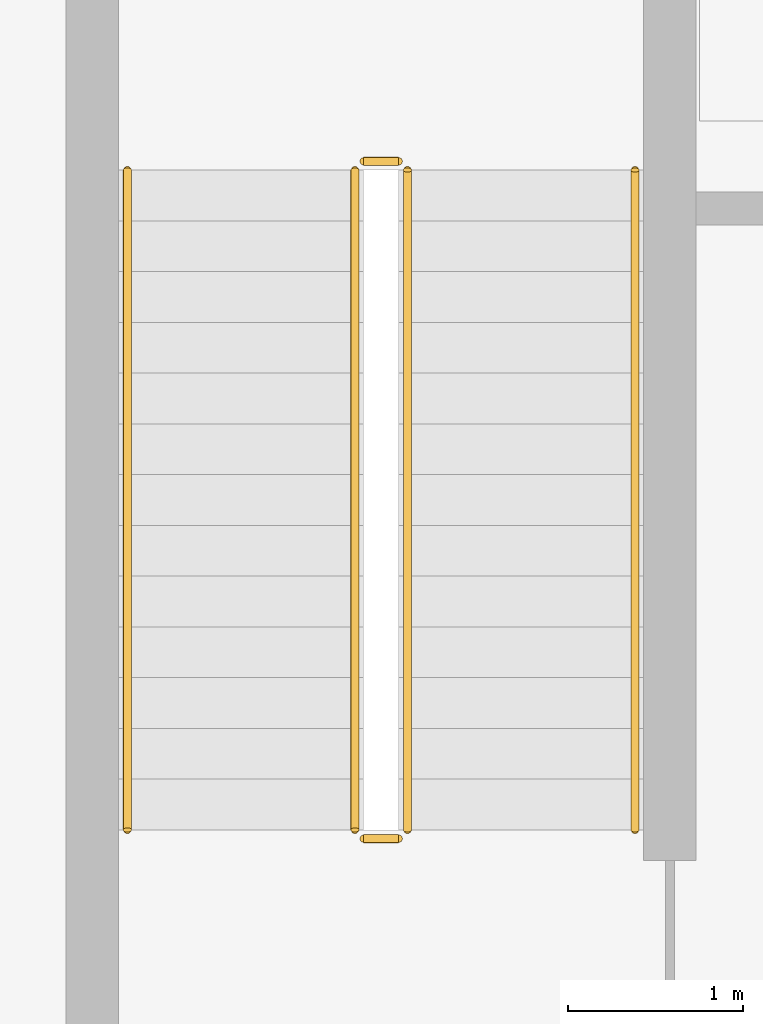
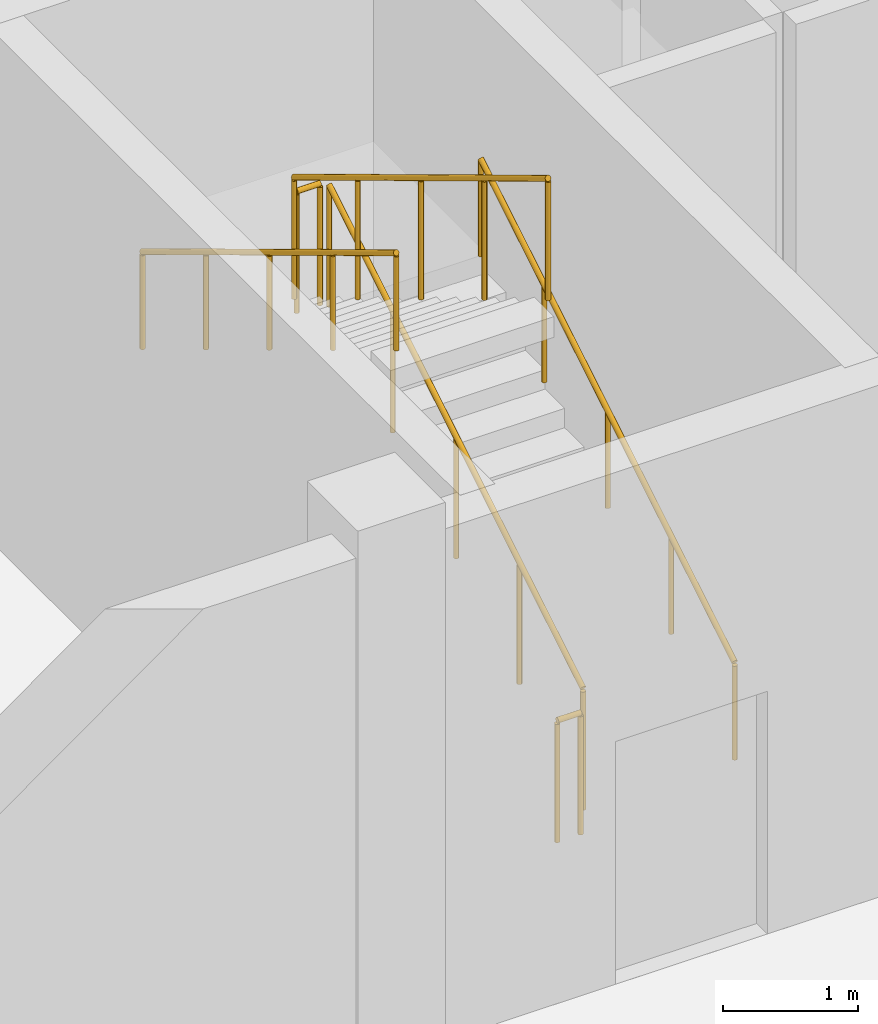
# One storey, part 58 of 85: 6 railings.
"""IFC4 building model written with IfcOpenShell, lengths in metres."""

import ifcopenshell
import ifcopenshell.guid

model = None  # the IFC model being written
_history = None  # IfcOwnerHistory: only IFC2X3 demands one
_inside = {}  # id of a spatial element -> (the spatial element, [elements in it])
_under = {}  # id of a project, library or spatial element -> (it, [spatial elements below it])
_declared = {}  # id of a project -> (the project, [libraries it declares])
_typed = {}  # id of a type object -> (the type object, [elements of that type])
_made_of = {}  # id of a material, layer set ... -> (it, [elements and type objects made of it])


def new_model(schema):
    """Start an empty IFC model of exactly this schema.

    Asked for "IFC4X3", IfcOpenShell would pick the latest addendum, in which some entities
    have other attributes; the version numbers below select the first issue.
    IFC2X3 requires an IfcOwnerHistory on every rooted entity: one is made here for all.
    """
    global model, _history
    if schema == "IFC4X3":
        model = ifcopenshell.file(schema_version=(4, 3, 0, 0))
    else:
        model = ifcopenshell.file(schema=schema)
    _inside.clear()
    _under.clear()
    _declared.clear()
    _typed.clear()
    _made_of.clear()
    _history = None
    if model.schema == "IFC2X3":
        org = make("IfcOrganization", Name="unknown")
        user = make(
            "IfcPersonAndOrganization",
            ThePerson=make("IfcPerson", FamilyName="unknown"),
            TheOrganization=org,
        )
        app = make(
            "IfcApplication",
            ApplicationDeveloper=org,
            Version="unknown",
            ApplicationFullName="unknown",
            ApplicationIdentifier="unknown",
        )
        _history = make(
            "IfcOwnerHistory",
            OwningUser=user,
            OwningApplication=app,
            ChangeAction="ADDED",
            CreationDate=0,
        )
    return model


def make(cls, **values):
    """One entity of the class cls with the attributes given. An attribute that is None is left unset."""
    return model.create_entity(
        cls, **{name: value for name, value in values.items() if value is not None}
    )


def rooted(cls, **values):
    """An entity with a GlobalId (a new one), such as an element, a storey or a relation."""
    return make(cls, GlobalId=ifcopenshell.guid.new(), OwnerHistory=_history, **values)


def si_unit(unit_type, name, prefix=None):
    """IfcSIUnit, for example si_unit("LENGTHUNIT", "METRE", prefix="MILLI")."""
    return make("IfcSIUnit", UnitType=unit_type, Prefix=prefix, Name=name)


def derived_unit(unit_type, elements):
    """IfcDerivedUnit: a product of units, each with its exponent."""
    return make(
        "IfcDerivedUnit",
        Elements=[
            make("IfcDerivedUnitElement", Unit=unit, Exponent=power)
            for unit, power in elements
        ],
        UnitType=unit_type,
    )


def assignment(units):
    """IfcUnitAssignment: the units of a project."""
    return None if units is None else make("IfcUnitAssignment", Units=units)


def point(xyz):
    """IfcCartesianPoint."""
    return None if xyz is None else make("IfcCartesianPoint", Coordinates=xyz)


def direction(xyz):
    """IfcDirection."""
    return None if xyz is None else make("IfcDirection", DirectionRatios=xyz)


def frame(location, z_axis=None, x_axis=None):
    """IfcAxis2Placement3D, a coordinate frame: its origin and axes. An axis left out is left unset."""
    return make(
        "IfcAxis2Placement3D",
        Location=point(location),
        Axis=direction(z_axis),
        RefDirection=direction(x_axis),
    )


def frame_2d(location, x_axis=None):
    """IfcAxis2Placement2D, a coordinate frame in the plane: its origin and x axis."""
    return make(
        "IfcAxis2Placement2D", Location=point(location), RefDirection=direction(x_axis)
    )


def origin():
    """The frame at (0, 0, 0) with its axes left unset."""
    return frame((0.0, 0.0, 0.0))


def origin_2d():
    """The frame at (0, 0) in the plane with its x axis left unset."""
    return frame_2d((0.0, 0.0))


def place(relative_to, where):
    """IfcLocalPlacement: puts the frame where relative to a parent placement (None: the world)."""
    return make(
        "IfcLocalPlacement", PlacementRelTo=relative_to, RelativePlacement=where
    )


def context(
    kind, dimensions, precision=None, world=None, true_north=None, identifier=None
):
    """IfcGeometricRepresentationContext, for example the 3D "Model" context."""
    return make(
        "IfcGeometricRepresentationContext",
        ContextIdentifier=identifier,
        ContextType=kind,
        CoordinateSpaceDimension=dimensions,
        Precision=precision,
        WorldCoordinateSystem=world,
        TrueNorth=true_north,
    )


def subcontext(parent, identifier, kind, view, scale=None):
    """IfcGeometricRepresentationSubContext, for example "Body" below "Model"."""
    return make(
        "IfcGeometricRepresentationSubContext",
        ContextIdentifier=identifier,
        ContextType=kind,
        ParentContext=parent,
        TargetScale=scale,
        TargetView=view,
    )


def project(units=None, contexts=None):
    """IfcProject with its units and contexts."""
    return rooted(
        "IfcProject",
        Name="project",
        RepresentationContexts=contexts,
        UnitsInContext=assignment(units),
    )


def spatial(cls, under=None, at=None, **own):
    """A site, building, storey or space (cls), placed at a placement, below another one or the project."""
    s = rooted(cls, ObjectPlacement=at, **own)
    if under is not None:
        _under.setdefault(under.id(), (under, []))[1].append(s)
    return s


def profile(cls, at=None, kind="AREA", **sizes):
    """A parametric profile (cls). Its sizes go by their IFC names, for example OverallWidth=200.0."""
    return make(cls, ProfileType=kind, Position=at, **sizes)


def circle(**sizes):
    """IfcCircleProfileDef."""
    return profile("IfcCircleProfileDef", **sizes)


def extrude(swept, where, along, depth):
    """IfcExtrudedAreaSolid: the profile swept, set in the frame where, extruded along a direction by depth."""
    return make(
        "IfcExtrudedAreaSolid",
        SweptArea=swept,
        Position=where,
        ExtrudedDirection=direction(along),
        Depth=depth,
    )


def shape(context_of_items, identifier, shape_type, items):
    """IfcShapeRepresentation: the items that make up one representation, for example the "Body"."""
    return make(
        "IfcShapeRepresentation",
        ContextOfItems=context_of_items,
        RepresentationIdentifier=identifier,
        RepresentationType=shape_type,
        Items=items,
    )


def material(Name=None, Category=None):
    """IfcMaterial."""
    return make("IfcMaterial", Name=Name, Category=Category)


def made_of(thing, what):
    """Note that an element or type object is made of a material, layer set ...; save() writes the relation."""
    if what is not None:
        _made_of.setdefault(what.id(), (what, []))[1].append(thing)
    return thing


def type_object(cls, material=None, **own):
    """A type object (cls), such as IfcWallType, which elements share."""
    return made_of(rooted(cls, **own), material)


def element(
    cls,
    number,
    at=None,
    inside=None,
    cuts=None,
    type_object=None,
    material=None,
    context=None,
    identifier="Body",
    shape_type=None,
    held_by="IfcProductDefinitionShape",
    body=None,
    shapes=None,
    **own,
):
    """One element of the class cls, such as IfcWall. Its Tag is "e" and its number.

    at: its placement. inside: the storey or other place that contains it. cuts: it is an
    opening in that element (IfcRelVoidsElement). A single representation is given by context,
    identifier, shape_type and body (its items); several are given by shapes. held_by: the class
    of the entity that holds the representations. save() writes the other relations.
    """
    e = rooted(cls, Tag="e%d" % number, ObjectPlacement=at, **own)
    if body is not None:
        shapes = [shape(context, identifier, shape_type, body)]
    if shapes is not None:
        e.Representation = make(held_by, Representations=shapes)
    if inside is not None:
        _inside.setdefault(inside.id(), (inside, []))[1].append(e)
    if cuts is not None:
        rooted(
            "IfcRelVoidsElement", RelatingBuildingElement=cuts, RelatedOpeningElement=e
        )
    if type_object is not None:
        _typed.setdefault(type_object.id(), (type_object, []))[1].append(e)
    return made_of(e, material)


def aggregate(whole, parts):
    """IfcRelAggregates: a whole, such as a stair, and the parts it consists of."""
    return rooted("IfcRelAggregates", RelatingObject=whole, RelatedObjects=parts)


def save(model, path):
    """Write the relations noted so far, then the file.

    IfcRelAggregates (storeys below a building ...), IfcRelContainedInSpatialStructure (elements
    in a storey), IfcRelDefinesByType, IfcRelAssociatesMaterial and IfcRelDeclares: one each for
    every whole, place, type object, material and project.
    """
    for whole, parts in _under.values():
        aggregate(whole, parts)
    for where, things in _inside.values():
        rooted(
            "IfcRelContainedInSpatialStructure",
            RelatedElements=things,
            RelatingStructure=where,
        )
    for kind, things in _typed.values():
        rooted("IfcRelDefinesByType", RelatedObjects=things, RelatingType=kind)
    for what, things in _made_of.values():
        rooted("IfcRelAssociatesMaterial", RelatedObjects=things, RelatingMaterial=what)
    for by, libraries in _declared.values():
        rooted("IfcRelDeclares", RelatingContext=by, RelatedDefinitions=libraries)
    model.write(path)


model = new_model("IFC4")

# Units and contexts
model_context = context("Model", 3, precision=1e-05, world=origin(), true_north=direction((0.0, 1.0)))
body_context = subcontext(model_context, "Body", "Model", "MODEL_VIEW")
ifc_project = project(units=[si_unit("LENGTHUNIT", "METRE"), si_unit("AREAUNIT", "SQUARE_METRE"), si_unit("VOLUMEUNIT", "CUBIC_METRE"), si_unit("PLANEANGLEUNIT", "RADIAN"), si_unit("MASSUNIT", "GRAM", prefix="KILO"), derived_unit("THERMALTRANSMITTANCEUNIT", [(si_unit("MASSUNIT", "GRAM", prefix="KILO"), 1), (si_unit("TIMEUNIT", "SECOND"), -3), (si_unit("THERMODYNAMICTEMPERATUREUNIT", "KELVIN"), -1)])], contexts=[model_context])

# Site, building, storey
site_placement = place(None, origin())
site = spatial("IfcSite", under=ifc_project, at=site_placement, CompositionType="ELEMENT")
building_placement = place(site_placement, origin())
building = spatial("IfcBuilding", under=site, at=building_placement, Name="Ochrekiln Boulevard Commons", CompositionType="ELEMENT")
storey_placement = place(building_placement, origin())
storey = spatial("IfcBuildingStorey", under=building, at=storey_placement, Name="L00", CompositionType="ELEMENT", Elevation=0.0)

# Railings
ifc_material = material(Name="Brushed stainless steel 316 tubular railing", Category="steel")
railing_type_1 = type_object("IfcRailingType", Name="RLG-HDR-900", PredefinedType="HANDRAIL", material=ifc_material)
railing_1_placement = place(storey_placement, frame((9.35009765625, 1.8701171875, 0.175048828125)))
element("IfcRailing", 1, at=railing_1_placement, inside=storey, type_object=railing_type_1, Name="L00 ST-D1 stair handrail 1", PredefinedType="HANDRAIL", context=body_context, shape_type="SweptSolid", body=[
    extrude(circle(Radius=0.02392578125, at=origin_2d()), frame((0.0, 0.0, 0.8759765625), z_axis=(0.0, 0.856183854908, 0.516671275179), x_axis=(-1.0, 0.0, 0.0)), (0.0, 0.0, 1.0), 4.403076171875),
    extrude(circle(Radius=0.02099609375, at=origin_2d()), origin(), (0.0, 0.0, 1.0), 0.851806640625),
    extrude(circle(Radius=0.02099609375, at=origin_2d()), frame((0.0, 0.9423828125, 0.56884765625)), (0.0, 0.0, 1.0), 0.851806640625),
    extrude(circle(Radius=0.02099609375, at=origin_2d()), frame((0.0, 1.884765625, 1.137451171875)), (0.0, 0.0, 1.0), 0.851806640625),
    extrude(circle(Radius=0.02099609375, at=origin_2d()), frame((0.0, 2.827392578125, 1.7060546875)), (0.0, 0.0, 1.0), 0.851806640625),
    extrude(circle(Radius=0.02099609375, at=origin_2d()), frame((0.0, 3.769775390625, 2.27490234375)), (0.0, 0.0, 1.0), 0.851806640625),
])
railing_2_placement = place(storey_placement, frame((6.449951171875, 5.639892578125, 2.625)))
element("IfcRailing", 2, at=railing_2_placement, inside=storey, type_object=railing_type_1, Name="L00 ST-D1 stair handrail 2", PredefinedType="HANDRAIL", context=body_context, shape_type="SweptSolid", body=[
    extrude(circle(Radius=0.02392578125, at=origin_2d()), frame((0.0, 0.0, 0.8759765625), z_axis=(0.0, -0.856183854908, 0.516671275179), x_axis=(1.0, 0.0, 0.0)), (0.0, 0.0, 1.0), 4.403076171875),
    extrude(circle(Radius=0.02099609375, at=origin_2d()), origin(), (0.0, 0.0, 1.0), 0.851806640625),
    extrude(circle(Radius=0.02099609375, at=origin_2d()), frame((0.0, -0.9423828125, 0.56884765625)), (0.0, 0.0, 1.0), 0.851806640625),
    extrude(circle(Radius=0.02099609375, at=origin_2d()), frame((0.0, -1.884765625, 1.137451171875)), (0.0, 0.0, 1.0), 0.851806640625),
    extrude(circle(Radius=0.02099609375, at=origin_2d()), frame((0.0, -2.827392578125, 1.7060546875)), (0.0, 0.0, 1.0), 0.851806640625),
    extrude(circle(Radius=0.02099609375, at=origin_2d()), frame((0.0, -3.769775390625, 2.27490234375)), (0.0, 0.0, 1.0), 0.851806640625),
])
railing_type_2 = type_object("IfcRailingType", Name="RLG-STR-1120", PredefinedType="BALUSTRADE", material=ifc_material)
railing_3_placement = place(storey_placement, frame((8.050048828125, 1.8701171875, 0.175048828125)))
element("IfcRailing", 3, at=railing_3_placement, inside=storey, type_object=railing_type_2, Name="L00 ST-D1 stair guard 1", PredefinedType="BALUSTRADE", context=body_context, shape_type="SweptSolid", body=[
    extrude(circle(Radius=0.02392578125, at=origin_2d()), frame((0.0, 0.0, 1.09619140625), z_axis=(0.0, 0.856183854908, 0.516671275179), x_axis=(-1.0, 0.0, 0.0)), (0.0, 0.0, 1.0), 4.403076171875),
    extrude(circle(Radius=0.02099609375, at=origin_2d()), origin(), (0.0, 0.0, 1.0), 1.072021484375),
    extrude(circle(Radius=0.02099609375, at=origin_2d()), frame((0.0, 0.9423828125, 0.56884765625)), (0.0, 0.0, 1.0), 1.072021484375),
    extrude(circle(Radius=0.02099609375, at=origin_2d()), frame((0.0, 1.884765625, 1.137451171875)), (0.0, 0.0, 1.0), 1.072021484375),
    extrude(circle(Radius=0.02099609375, at=origin_2d()), frame((0.0, 2.827392578125, 1.7060546875)), (0.0, 0.0, 1.0), 1.072021484375),
    extrude(circle(Radius=0.02099609375, at=origin_2d()), frame((0.0, 3.769775390625, 2.27490234375)), (0.0, 0.0, 1.0), 1.072021484375),
])
railing_4_placement = place(storey_placement, frame((8.0, 5.68994140625, 2.449951171875)))
element("IfcRailing", 4, at=railing_4_placement, inside=storey, type_object=railing_type_2, Name="L00 ST-D1 stair guard 2", PredefinedType="BALUSTRADE", context=body_context, shape_type="SweptSolid", body=[
    extrude(circle(Radius=0.02392578125, at=origin_2d()), frame((0.0, 0.0, 1.09619140625), z_axis=(-1.0, 0.0, 0.0), x_axis=(0.0, -1.0, 0.0)), (0.0, 0.0, 1.0), 0.199951171875),
    extrude(circle(Radius=0.02099609375, at=origin_2d()), origin(), (0.0, 0.0, 1.0), 1.072021484375),
    extrude(circle(Radius=0.02099609375, at=origin_2d()), frame((-0.199951171875, 0.0, 0.0)), (0.0, 0.0, 1.0), 1.072021484375),
])
railing_5_placement = place(storey_placement, frame((7.75, 5.639892578125, 2.625)))
element("IfcRailing", 5, at=railing_5_placement, inside=storey, type_object=railing_type_2, Name="L00 ST-D1 stair guard 3", PredefinedType="BALUSTRADE", context=body_context, shape_type="SweptSolid", body=[
    extrude(circle(Radius=0.02392578125, at=origin_2d()), frame((0.0, 0.0, 1.09619140625), z_axis=(0.0, -0.856183854908, 0.516671275179), x_axis=(1.0, 0.0, 0.0)), (0.0, 0.0, 1.0), 4.403076171875),
    extrude(circle(Radius=0.02099609375, at=origin_2d()), origin(), (0.0, 0.0, 1.0), 1.072021484375),
    extrude(circle(Radius=0.02099609375, at=origin_2d()), frame((0.0, -0.9423828125, 0.56884765625)), (0.0, 0.0, 1.0), 1.072021484375),
    extrude(circle(Radius=0.02099609375, at=origin_2d()), frame((0.0, -1.884765625, 1.137451171875)), (0.0, 0.0, 1.0), 1.072021484375),
    extrude(circle(Radius=0.02099609375, at=origin_2d()), frame((0.0, -2.827392578125, 1.7060546875)), (0.0, 0.0, 1.0), 1.072021484375),
    extrude(circle(Radius=0.02099609375, at=origin_2d()), frame((0.0, -3.769775390625, 2.27490234375)), (0.0, 0.0, 1.0), 1.072021484375),
])
railing_6_placement = place(storey_placement, frame((8.0, 1.820068359375, 0.0)))
element("IfcRailing", 6, at=railing_6_placement, inside=storey, type_object=railing_type_2, Name="L00 ST-D1 stair guard 4", PredefinedType="BALUSTRADE", context=body_context, shape_type="SweptSolid", body=[
    extrude(circle(Radius=0.02392578125, at=origin_2d()), frame((0.0, 0.0, 1.09619140625), z_axis=(-1.0, 0.0, 0.0), x_axis=(0.0, -1.0, 0.0)), (0.0, 0.0, 1.0), 0.199951171875),
    extrude(circle(Radius=0.02099609375, at=origin_2d()), origin(), (0.0, 0.0, 1.0), 1.072021484375),
    extrude(circle(Radius=0.02099609375, at=origin_2d()), frame((-0.199951171875, 0.0, 0.0)), (0.0, 0.0, 1.0), 1.072021484375),
])

save(model, "model.ifc")
